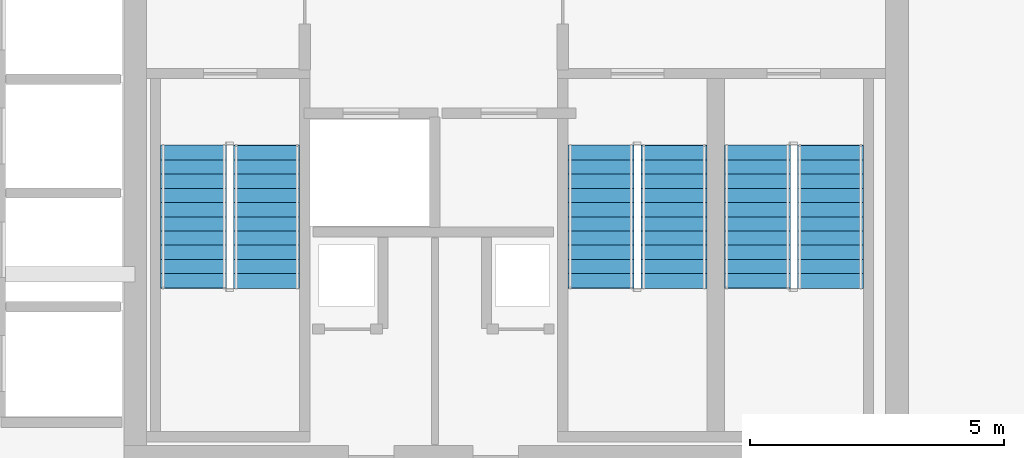
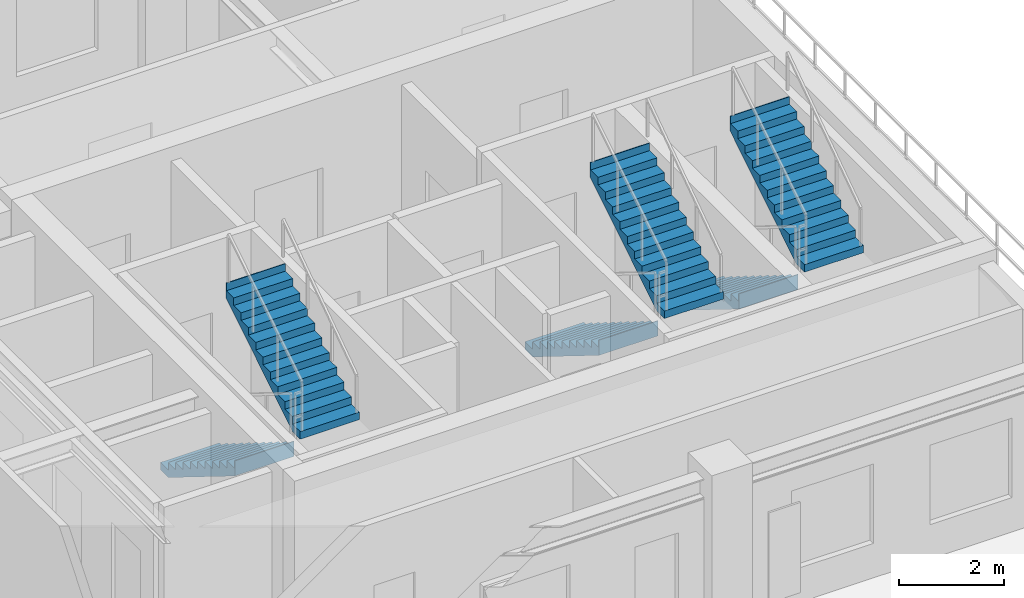
# One storey, part 6 of 8: 6 stair flights, 3 elements without a shape of their own.
"""IFC4 building model written with IfcOpenShell, lengths in metres."""

from ifc_helpers import new_model, si_unit, derived_unit, direction, frame, origin, place, context, subcontext, project, spatial, polyline, outline, extrude, source, transform, mapped, material, layer, layer_set, type_object, element, aggregate, save


model = new_model("IFC4")

# Units and contexts
model_context = context("Model", 3, precision=1e-05, world=origin(), true_north=direction((0.0, 1.0)))
body_context = subcontext(model_context, "Body", "Model", "MODEL_VIEW")
ifc_project = project(units=[si_unit("LENGTHUNIT", "METRE"), si_unit("AREAUNIT", "SQUARE_METRE"), si_unit("VOLUMEUNIT", "CUBIC_METRE"), si_unit("PLANEANGLEUNIT", "RADIAN"), si_unit("MASSUNIT", "GRAM", prefix="KILO"), si_unit("THERMODYNAMICTEMPERATUREUNIT", "KELVIN"), si_unit("POWERUNIT", "WATT"), derived_unit("THERMALTRANSMITTANCEUNIT", [(si_unit("POWERUNIT", "WATT"), 1), (si_unit("AREAUNIT", "SQUARE_METRE"), -1), (si_unit("THERMODYNAMICTEMPERATUREUNIT", "KELVIN"), -1)])], contexts=[model_context])

# Site, building, storey
site_placement = place(None, origin())
site = spatial("IfcSite", under=ifc_project, at=site_placement, CompositionType="ELEMENT")
building_placement = place(site_placement, origin())
building = spatial("IfcBuilding", under=site, at=building_placement, Name="Zahravan Archway Hotel and Residences", CompositionType="ELEMENT")
storey_placement = place(building_placement, frame((0.0, 0.0, 232.699951171875)))
storey = spatial("IfcBuildingStorey", under=building, at=storey_placement, Name="L58", CompositionType="ELEMENT", Elevation=232.699951171875)

# Stair, stair flights
ifc_material = material(Name="Concrete C50/60", Category="concrete")
stair_type = type_object("IfcStairType", Name="STR-CORE-1300", PredefinedType="HALF_TURN_STAIR", material=ifc_material)
stair_1_placement = place(storey_placement, origin())
stair_1 = element("IfcStair", 1, at=stair_1_placement, inside=storey, type_object=stair_type, Name="L58 Core A Exit Stair 1", PredefinedType="HALF_TURN_STAIR")
ifc_layer = layer(ifc_material, 0.199951171875, Name="Concrete C50/60", Category="concrete")
ifc_layer_set = layer_set([ifc_layer], Name="Concrete C50/60")
stair_flight_type = type_object("IfcStairFlightType", Name="SFL-CORE-1300", PredefinedType="STRAIGHT", material=ifc_layer_set)
shared_shape = source(origin(), body_context, "Body", "SweptSolid", [
    extrude(outline(polyline([(-0.01611328125, 0.0), (-0.01611328125, 0.175048828125), (0.280029296875, 0.175048828125), (0.280029296875, 0.35009765625), (0.56005859375, 0.35009765625), (0.56005859375, 0.52490234375), (0.840087890625, 0.52490234375), (0.840087890625, 0.699951171875), (1.1201171875, 0.699951171875), (1.1201171875, 0.875), (1.39990234375, 0.875), (1.39990234375, 1.050048828125), (1.679931640625, 1.050048828125), (1.679931640625, 1.22509765625), (1.9599609375, 1.22509765625), (1.9599609375, 1.39990234375), (2.239990234375, 1.39990234375), (2.239990234375, 1.574951171875), (2.52001953125, 1.574951171875), (2.52001953125, 1.75), (2.800048828125, 1.75), (2.800048828125, 1.925048828125), (2.816162109375, 1.925048828125), (2.816162109375, 1.5732421875), (0.28271484375, 0.0), (-0.01611328125, 0.0)])), frame((0.0, 0.64990234375, 0.0), z_axis=(0.0, -1.0, 0.0), x_axis=(1.0, 0.0, 0.0)), (0.0, 0.0, 1.0), 1.300048828125),
])
stair_flight_1_placement = place(storey_placement, frame((35.949951171875, 9.72998046875, 0.0), z_axis=(0.0, 0.0, 1.0), x_axis=(0.0, -1.0, 0.0)))
stair_flight_1 = element("IfcStairFlight", 2, at=stair_flight_1_placement, type_object=stair_flight_type, Name="ST-A1 flight 1", NumberOfRisers=11, NumberOfTreads=10, PredefinedType="STRAIGHT", RiserHeight=0.175, TreadLength=0.28, context=body_context, shape_type="MappedRepresentation", body=[
    mapped(shared_shape, transform((0.0, 0.0, 0.0), scale=1.0)),
])
stair_flight_2_placement = place(storey_placement, frame((37.389892578125, 6.929931640625, 1.925048828125), z_axis=(0.0, 0.0, 1.0), x_axis=(0.0, 1.0, 0.0)))
stair_flight_2 = element("IfcStairFlight", 3, at=stair_flight_2_placement, type_object=stair_flight_type, Name="ST-A1 flight 2", NumberOfRisers=11, NumberOfTreads=10, PredefinedType="STRAIGHT", RiserHeight=0.175, TreadLength=0.28, context=body_context, shape_type="MappedRepresentation", body=[
    mapped(shared_shape, transform((0.0, 0.0, 0.0), scale=1.0)),
])
aggregate(stair_1, [stair_flight_1, stair_flight_2])

stair_2_placement = place(storey_placement, origin())
stair_2 = element("IfcStair", 4, at=stair_2_placement, inside=storey, type_object=stair_type, Name="L58 Core A Exit Stair 2", PredefinedType="HALF_TURN_STAIR")
stair_flight_3_placement = place(storey_placement, frame((43.969970703125, 9.72998046875, 0.0), z_axis=(0.0, 0.0, 1.0), x_axis=(0.0, -1.0, 0.0)))
stair_flight_3 = element("IfcStairFlight", 5, at=stair_flight_3_placement, type_object=stair_flight_type, Name="ST-A2 flight 1", NumberOfRisers=11, NumberOfTreads=10, PredefinedType="STRAIGHT", RiserHeight=0.175, TreadLength=0.28, context=body_context, shape_type="MappedRepresentation", body=[
    mapped(shared_shape, transform((0.0, 0.0, 0.0), scale=1.0)),
])
stair_flight_4_placement = place(storey_placement, frame((45.409912109375, 6.929931640625, 1.925048828125), z_axis=(0.0, 0.0, 1.0), x_axis=(0.0, 1.0, 0.0)))
stair_flight_4 = element("IfcStairFlight", 6, at=stair_flight_4_placement, type_object=stair_flight_type, Name="ST-A2 flight 2", NumberOfRisers=11, NumberOfTreads=10, PredefinedType="STRAIGHT", RiserHeight=0.175, TreadLength=0.28, context=body_context, shape_type="MappedRepresentation", body=[
    mapped(shared_shape, transform((0.0, 0.0, 0.0), scale=1.0)),
])
aggregate(stair_2, [stair_flight_3, stair_flight_4])

stair_3_placement = place(storey_placement, origin())
stair_3 = element("IfcStair", 7, at=stair_3_placement, inside=storey, type_object=stair_type, Name="L58 Core A Exit Stair 3", PredefinedType="HALF_TURN_STAIR")
stair_flight_5_placement = place(storey_placement, frame((47.050048828125, 9.72998046875, 0.0), z_axis=(0.0, 0.0, 1.0), x_axis=(0.0, -1.0, 0.0)))
stair_flight_5 = element("IfcStairFlight", 8, at=stair_flight_5_placement, type_object=stair_flight_type, Name="ST-A3 flight 1", NumberOfRisers=11, NumberOfTreads=10, PredefinedType="STRAIGHT", RiserHeight=0.175, TreadLength=0.28, context=body_context, shape_type="MappedRepresentation", body=[
    mapped(shared_shape, transform((0.0, 0.0, 0.0), scale=1.0)),
])
stair_flight_6_placement = place(storey_placement, frame((48.489990234375, 6.929931640625, 1.925048828125), z_axis=(0.0, 0.0, 1.0), x_axis=(0.0, 1.0, 0.0)))
stair_flight_6 = element("IfcStairFlight", 9, at=stair_flight_6_placement, type_object=stair_flight_type, Name="ST-A3 flight 2", NumberOfRisers=11, NumberOfTreads=10, PredefinedType="STRAIGHT", RiserHeight=0.175, TreadLength=0.28, context=body_context, shape_type="MappedRepresentation", body=[
    mapped(shared_shape, transform((0.0, 0.0, 0.0), scale=1.0)),
])
aggregate(stair_3, [stair_flight_5, stair_flight_6])

save(model, "model.ifc")
